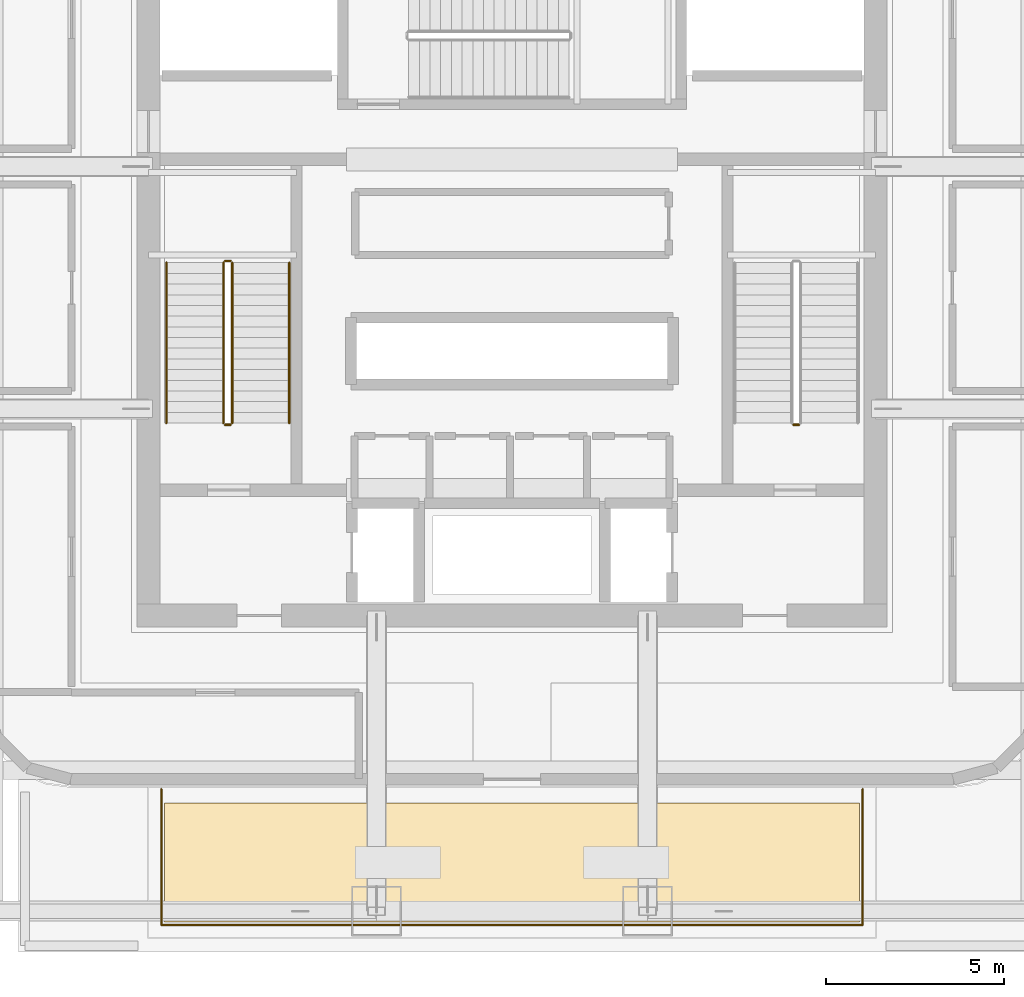
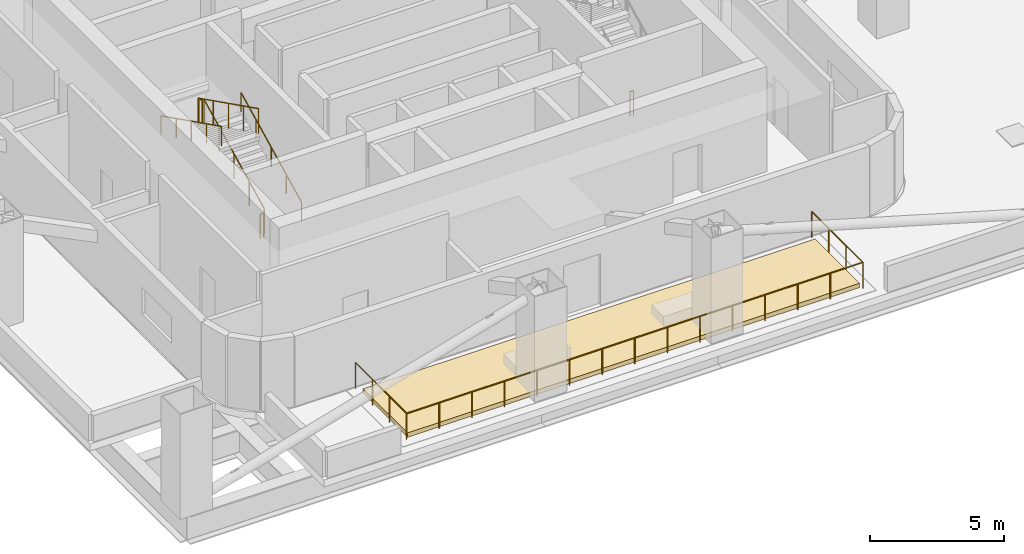
# One storey, part 8 of 10: 8 railings, 1 covering.
"""IFC4 building model written with IfcOpenShell, lengths in metres."""

from ifc_helpers import new_model, si_unit, direction, frame, origin, origin_2d, place, context, subcontext, project, spatial, polyline, circle, outline, extrude, material, layer, layer_set, type_object, element, save


model = new_model("IFC4")

# Units and contexts
model_context = context("Model", 3, precision=1e-05, world=origin(), true_north=direction((0.0, 1.0)))
body_context = subcontext(model_context, "Body", "Model", "MODEL_VIEW")
ifc_project = project(units=[si_unit("LENGTHUNIT", "METRE"), si_unit("AREAUNIT", "SQUARE_METRE"), si_unit("VOLUMEUNIT", "CUBIC_METRE"), si_unit("PLANEANGLEUNIT", "RADIAN"), si_unit("MASSUNIT", "GRAM", prefix="KILO")], contexts=[model_context])

# Site, building, storey
site_placement = place(None, origin())
site = spatial("IfcSite", under=ifc_project, at=site_placement, CompositionType="ELEMENT")
building_placement = place(site_placement, origin())
building = spatial("IfcBuilding", under=site, at=building_placement, Name="Punatoya Terracotta Tower", CompositionType="ELEMENT")
storey_placement = place(building_placement, frame((0.0, 0.0, 125.39990234375)))
storey = spatial("IfcBuildingStorey", under=building, at=storey_placement, Name="L29", CompositionType="ELEMENT", Elevation=125.39990234375)

# Covering
ifc_material_1 = material(Name="Green Roof Planting Soil Medium")
ifc_layer = layer(ifc_material_1, 0.35009765625)
ifc_layer_set = layer_set([ifc_layer], Name="Green Roof Planting Soil Medium")
covering_type = type_object("IfcCoveringType", Name="COV-TER-350", PredefinedType="ROOFING", material=ifc_layer_set)
covering_placement = place(storey_placement, origin())
element("IfcCovering", 1, at=covering_placement, inside=storey, type_object=covering_type, Name="L29 L29 Hover-Neck Sky Garden Terrace Planted Soil Bed", PredefinedType="ROOFING", context=body_context, shape_type="SweptSolid", body=[
    extrude(outline(polyline([(9.75, -17.800048828125), (9.75, -14.469970703125), (-9.75, -14.469970703125), (-9.75, -17.800048828125), (9.75, -17.800048828125)])), origin(), (0.0, 0.0, 1.0), 0.2001953125),
])

# Railings
ifc_material_2 = material(Name="Steel S355", Category="steel")
railing_type_1 = type_object("IfcRailingType", Name="RLG-BAL-1200", PredefinedType="BALUSTRADE", material=ifc_material_2)
railing_1_placement = place(storey_placement, frame((-9.840087890625, -14.070068359375, 0.0)))
element("IfcRailing", 2, at=railing_1_placement, inside=storey, type_object=railing_type_1, Name="L29 L29 Hover-Neck Sky Garden Terrace Guardrail", PredefinedType="BALUSTRADE", context=body_context, shape_type="SweptSolid", body=[
    extrude(circle(Radius=0.02392578125, at=origin_2d()), frame((0.0, 0.0, 1.17578125), z_axis=(0.0, -1.0, 0.0), x_axis=(1.0, 0.0, 0.0)), (0.0, 0.0, 1.0), 3.81982421875),
    extrude(circle(Radius=0.02392578125, at=origin_2d()), frame((0.0, -3.81982421875, 1.17578125), z_axis=(1.0, 0.0, 0.0), x_axis=(0.0, 1.0, 0.0)), (0.0, 0.0, 1.0), 19.68017578125),
    extrude(circle(Radius=0.02392578125, at=origin_2d()), frame((19.68017578125, -3.81982421875, 1.17578125), z_axis=(0.0, 1.0, 0.0), x_axis=(-1.0, 0.0, 0.0)), (0.0, 0.0, 1.0), 3.81982421875),
    extrude(circle(Radius=0.02099609375, at=origin_2d()), origin(), (0.0, 0.0, 1.0), 1.15185546875),
    extrude(circle(Radius=0.02099609375, at=origin_2d()), frame((0.0, -1.273193359375, 0.0)), (0.0, 0.0, 1.0), 1.15185546875),
    extrude(circle(Radius=0.02099609375, at=origin_2d()), frame((0.0, -2.546630859375, 0.0)), (0.0, 0.0, 1.0), 1.15185546875),
    extrude(circle(Radius=0.02099609375, at=origin_2d()), frame((0.0, -3.81982421875, 0.0)), (0.0, 0.0, 1.0), 1.15185546875),
    extrude(circle(Radius=0.02099609375, at=origin_2d()), frame((1.40576171875, -3.81982421875, 0.0)), (0.0, 0.0, 1.0), 1.15185546875),
    extrude(circle(Radius=0.02099609375, at=origin_2d()), frame((2.8115234375, -3.81982421875, 0.0)), (0.0, 0.0, 1.0), 1.15185546875),
    extrude(circle(Radius=0.02099609375, at=origin_2d()), frame((4.21728515625, -3.81982421875, 0.0)), (0.0, 0.0, 1.0), 1.15185546875),
    extrude(circle(Radius=0.02099609375, at=origin_2d()), frame((5.622802734375, -3.81982421875, 0.0)), (0.0, 0.0, 1.0), 1.15185546875),
    extrude(circle(Radius=0.02099609375, at=origin_2d()), frame((7.028564453125, -3.81982421875, 0.0)), (0.0, 0.0, 1.0), 1.15185546875),
    extrude(circle(Radius=0.02099609375, at=origin_2d()), frame((8.434326171875, -3.81982421875, 0.0)), (0.0, 0.0, 1.0), 1.15185546875),
    extrude(circle(Radius=0.02099609375, at=origin_2d()), frame((9.840087890625, -3.81982421875, 0.0)), (0.0, 0.0, 1.0), 1.15185546875),
    extrude(circle(Radius=0.02099609375, at=origin_2d()), frame((11.245849609375, -3.81982421875, 0.0)), (0.0, 0.0, 1.0), 1.15185546875),
    extrude(circle(Radius=0.02099609375, at=origin_2d()), frame((12.651611328125, -3.81982421875, 0.0)), (0.0, 0.0, 1.0), 1.15185546875),
    extrude(circle(Radius=0.02099609375, at=origin_2d()), frame((14.057373046875, -3.81982421875, 0.0)), (0.0, 0.0, 1.0), 1.15185546875),
    extrude(circle(Radius=0.02099609375, at=origin_2d()), frame((15.462890625, -3.81982421875, 0.0)), (0.0, 0.0, 1.0), 1.15185546875),
    extrude(circle(Radius=0.02099609375, at=origin_2d()), frame((16.86865234375, -3.81982421875, 0.0)), (0.0, 0.0, 1.0), 1.15185546875),
    extrude(circle(Radius=0.02099609375, at=origin_2d()), frame((18.2744140625, -3.81982421875, 0.0)), (0.0, 0.0, 1.0), 1.15185546875),
    extrude(circle(Radius=0.02099609375, at=origin_2d()), frame((19.68017578125, -3.81982421875, 0.0)), (0.0, 0.0, 1.0), 1.15185546875),
    extrude(circle(Radius=0.02099609375, at=origin_2d()), frame((19.68017578125, -2.546630859375, 0.0)), (0.0, 0.0, 1.0), 1.15185546875),
    extrude(circle(Radius=0.02099609375, at=origin_2d()), frame((19.68017578125, -1.273193359375, 0.0)), (0.0, 0.0, 1.0), 1.15185546875),
    extrude(circle(Radius=0.02099609375, at=origin_2d()), frame((19.68017578125, 0.0, 0.0)), (0.0, 0.0, 1.0), 1.15185546875),
])
railing_type_2 = type_object("IfcRailingType", Name="RLG-GRD-1150", PredefinedType="GUARDRAIL", material=ifc_material_2)
railing_2_placement = place(storey_placement, frame((-7.85009765625, -3.800048828125, 0.150146484375)))
element("IfcRailing", 3, at=railing_2_placement, inside=storey, type_object=railing_type_2, Name="L29 ST-1 stair guard 1", PredefinedType="GUARDRAIL", context=body_context, shape_type="SweptSolid", body=[
    extrude(circle(Radius=0.02392578125, at=origin_2d()), frame((0.0, 0.0, 1.1259765625), z_axis=(0.0, 0.894427191, 0.4472135955), x_axis=(-1.0, 0.0, 0.0)), (0.0, 0.0, 1.0), 5.03125),
    extrude(circle(Radius=0.02099609375, at=origin_2d()), origin(), (0.0, 0.0, 1.0), 1.101806640625),
    extrude(circle(Radius=0.02099609375, at=origin_2d()), frame((0.0, 1.125, 0.5625)), (0.0, 0.0, 1.0), 1.101806640625),
    extrude(circle(Radius=0.02099609375, at=origin_2d()), frame((0.0, 2.25, 1.125)), (0.0, 0.0, 1.0), 1.101806640625),
    extrude(circle(Radius=0.02099609375, at=origin_2d()), frame((0.0, 3.375, 1.6875)), (0.0, 0.0, 1.0), 1.101806640625),
    extrude(circle(Radius=0.02099609375, at=origin_2d()), frame((0.0, 4.5, 2.25)), (0.0, 0.0, 1.0), 1.101806640625),
])
railing_3_placement = place(storey_placement, frame((-7.89990234375, 0.75, 2.400146484375)))
element("IfcRailing", 4, at=railing_3_placement, inside=storey, type_object=railing_type_2, Name="L29 ST-1 stair guard 2", PredefinedType="GUARDRAIL", context=body_context, shape_type="SweptSolid", body=[
    extrude(circle(Radius=0.02392578125, at=origin_2d()), frame((0.0, 0.0, 1.1259765625), z_axis=(-1.0, 0.0, 0.0), x_axis=(0.0, -1.0, 0.0)), (0.0, 0.0, 1.0), 0.150146484375),
    extrude(circle(Radius=0.02099609375, at=origin_2d()), origin(), (0.0, 0.0, 1.0), 1.101806640625),
    extrude(circle(Radius=0.02099609375, at=origin_2d()), frame((-0.150146484375, 0.0, 0.0)), (0.0, 0.0, 1.0), 1.101806640625),
])
railing_4_placement = place(storey_placement, frame((-8.10009765625, 0.699951171875, 2.550048828125)))
element("IfcRailing", 5, at=railing_4_placement, inside=storey, type_object=railing_type_2, Name="L29 ST-1 stair guard 3", PredefinedType="GUARDRAIL", context=body_context, shape_type="SweptSolid", body=[
    extrude(circle(Radius=0.02392578125, at=origin_2d()), frame((0.0, 0.0, 1.1259765625), z_axis=(0.0, -0.894427191, 0.4472135955), x_axis=(1.0, 0.0, 0.0)), (0.0, 0.0, 1.0), 5.03125),
    extrude(circle(Radius=0.02099609375, at=origin_2d()), origin(), (0.0, 0.0, 1.0), 1.101806640625),
    extrude(circle(Radius=0.02099609375, at=origin_2d()), frame((0.0, -1.125, 0.5625)), (0.0, 0.0, 1.0), 1.101806640625),
    extrude(circle(Radius=0.02099609375, at=origin_2d()), frame((0.0, -2.25, 1.125)), (0.0, 0.0, 1.0), 1.101806640625),
    extrude(circle(Radius=0.02099609375, at=origin_2d()), frame((0.0, -3.375, 1.6875)), (0.0, 0.0, 1.0), 1.101806640625),
    extrude(circle(Radius=0.02099609375, at=origin_2d()), frame((0.0, -4.5, 2.25)), (0.0, 0.0, 1.0), 1.101806640625),
])
for number, where, name in (
    (6, (-7.89990234375, -3.85009765625, 0.0), "L29 ST-1 stair guard 4"),
    (7, (8.050048828125, -3.85009765625, 0.0), "L29 ST-2 stair guard 4"),
):
    element("IfcRailing", number, at=place(storey_placement, frame(where)), inside=storey, type_object=railing_type_2, Name=name, PredefinedType="GUARDRAIL", context=body_context, shape_type="SweptSolid", body=[
        extrude(circle(Radius=0.02392578125, at=origin_2d()), frame((0.0, 0.0, 1.1259765625), z_axis=(-1.0, 0.0, 0.0), x_axis=(0.0, -1.0, 0.0)), (0.0, 0.0, 1.0), 0.150146484375),
        extrude(circle(Radius=0.02099609375, at=origin_2d()), origin(), (0.0, 0.0, 1.0), 1.101806640625),
        extrude(circle(Radius=0.02099609375, at=origin_2d()), frame((-0.150146484375, 0.0, 0.0)), (0.0, 0.0, 1.0), 1.101806640625),
    ])
railing_type_3 = type_object("IfcRailingType", Name="RLG-HND-900", PredefinedType="HANDRAIL", material=ifc_material_2)
railing_5_placement = place(storey_placement, frame((-6.25, -3.800048828125, 0.150146484375)))
element("IfcRailing", 8, at=railing_5_placement, inside=storey, type_object=railing_type_3, Name="L29 ST-1 stair handrail 1", PredefinedType="HANDRAIL", context=body_context, shape_type="SweptSolid", body=[
    extrude(circle(Radius=0.02392578125, at=origin_2d()), frame((0.0, 0.0, 0.8759765625), z_axis=(0.0, 0.894427191, 0.4472135955), x_axis=(-1.0, 0.0, 0.0)), (0.0, 0.0, 1.0), 5.03125),
    extrude(circle(Radius=0.02099609375, at=origin_2d()), origin(), (0.0, 0.0, 1.0), 0.851806640625),
    extrude(circle(Radius=0.02099609375, at=origin_2d()), frame((0.0, 1.125, 0.5625)), (0.0, 0.0, 1.0), 0.851806640625),
    extrude(circle(Radius=0.02099609375, at=origin_2d()), frame((0.0, 2.25, 1.125)), (0.0, 0.0, 1.0), 0.851806640625),
    extrude(circle(Radius=0.02099609375, at=origin_2d()), frame((0.0, 3.375, 1.6875)), (0.0, 0.0, 1.0), 0.851806640625),
    extrude(circle(Radius=0.02099609375, at=origin_2d()), frame((0.0, 4.5, 2.25)), (0.0, 0.0, 1.0), 0.851806640625),
])
railing_6_placement = place(storey_placement, frame((-9.699951171875, 0.699951171875, 2.550048828125)))
element("IfcRailing", 9, at=railing_6_placement, inside=storey, type_object=railing_type_3, Name="L29 ST-1 stair handrail 2", PredefinedType="HANDRAIL", context=body_context, shape_type="SweptSolid", body=[
    extrude(circle(Radius=0.02392578125, at=origin_2d()), frame((0.0, 0.0, 0.8759765625), z_axis=(0.0, -0.894427191, 0.4472135955), x_axis=(1.0, 0.0, 0.0)), (0.0, 0.0, 1.0), 5.03125),
    extrude(circle(Radius=0.02099609375, at=origin_2d()), origin(), (0.0, 0.0, 1.0), 0.851806640625),
    extrude(circle(Radius=0.02099609375, at=origin_2d()), frame((0.0, -1.125, 0.5625)), (0.0, 0.0, 1.0), 0.851806640625),
    extrude(circle(Radius=0.02099609375, at=origin_2d()), frame((0.0, -2.25, 1.125)), (0.0, 0.0, 1.0), 0.851806640625),
    extrude(circle(Radius=0.02099609375, at=origin_2d()), frame((0.0, -3.375, 1.6875)), (0.0, 0.0, 1.0), 0.851806640625),
    extrude(circle(Radius=0.02099609375, at=origin_2d()), frame((0.0, -4.5, 2.25)), (0.0, 0.0, 1.0), 0.851806640625),
])

save(model, "model.ifc")
